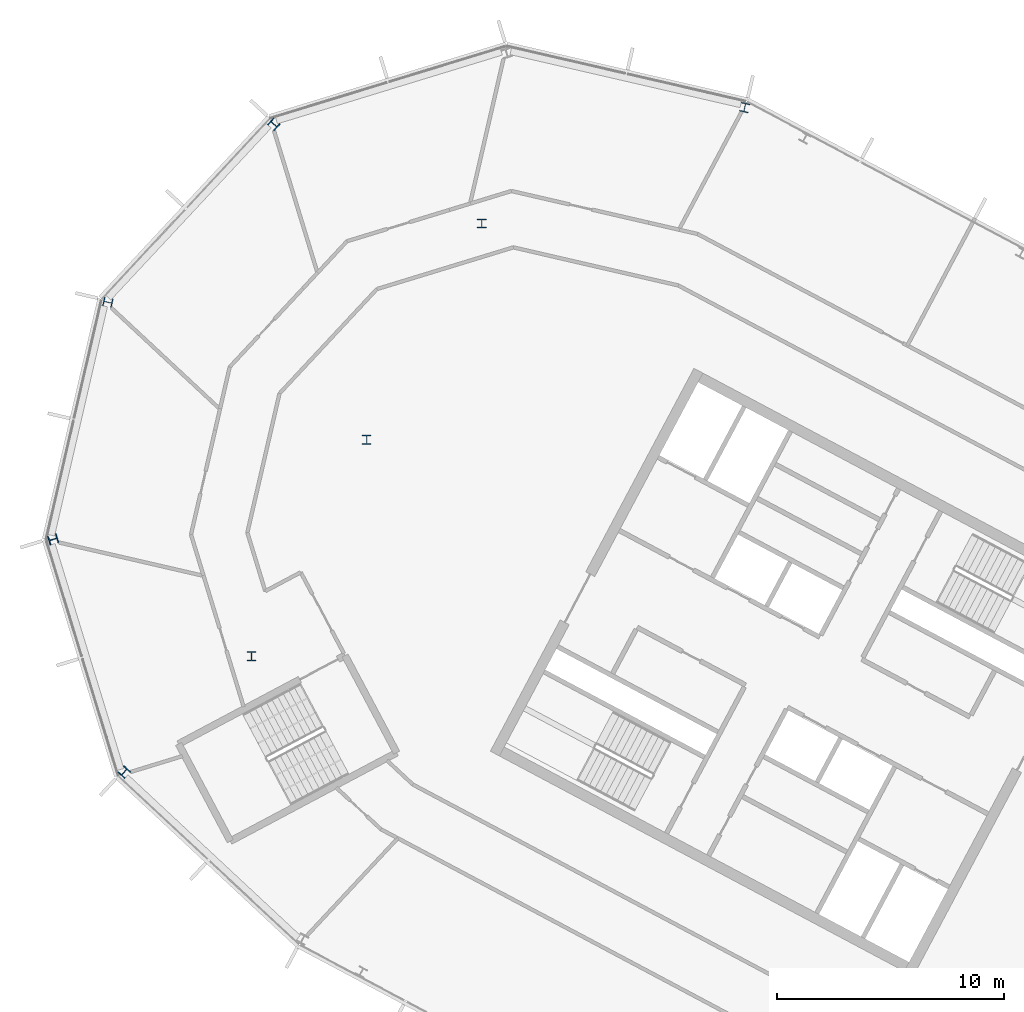
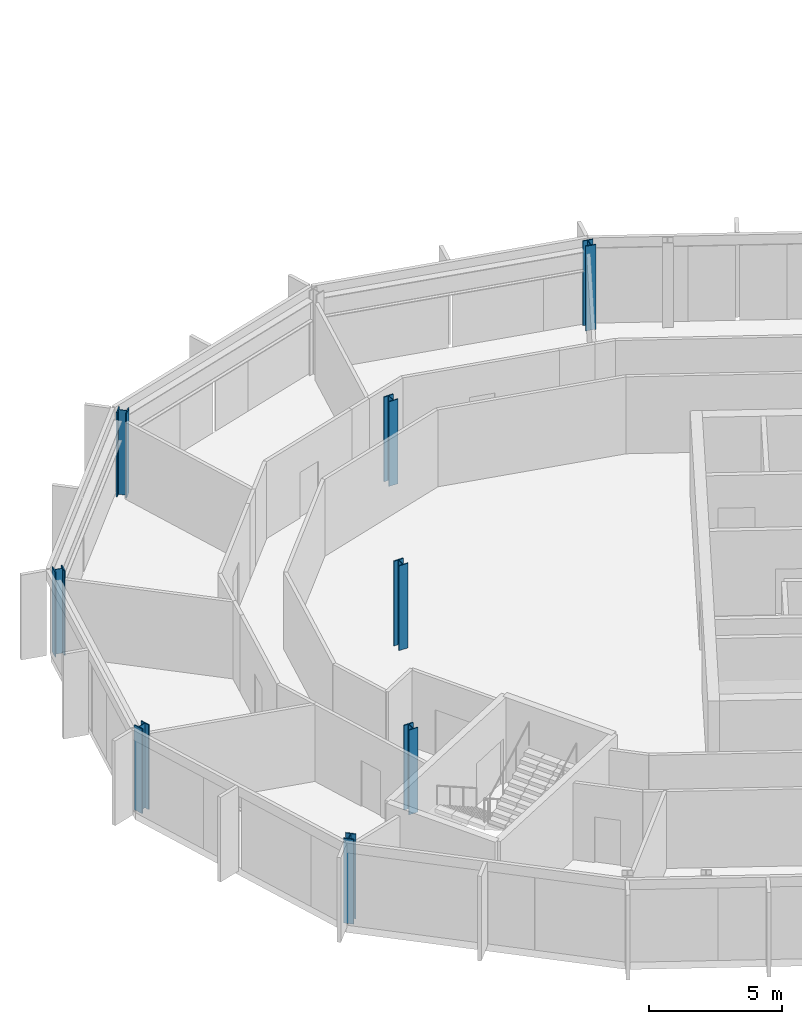
# One storey, part 3 of 25: 8 columns.
"""IFC4 building model written with IfcOpenShell, lengths in metres."""

from ifc_helpers import new_model, si_unit, direction, frame, origin, origin_2d, place, context, subcontext, project, spatial, i_section, extrude, material, material_profile, profile_set, type_object, element, save


model = new_model("IFC4")

# Units and contexts
model_context = context("Model", 3, precision=1e-05, world=origin(), true_north=direction((0.0, 1.0)))
body_context = subcontext(model_context, "Body", "Model", "MODEL_VIEW")
ifc_project = project(units=[si_unit("LENGTHUNIT", "METRE"), si_unit("AREAUNIT", "SQUARE_METRE"), si_unit("VOLUMEUNIT", "CUBIC_METRE"), si_unit("PLANEANGLEUNIT", "RADIAN"), si_unit("MASSUNIT", "GRAM", prefix="KILO")], contexts=[model_context])

# Site, building, storey
site_placement = place(None, origin())
site = spatial("IfcSite", under=ifc_project, at=site_placement, CompositionType="ELEMENT")
building_placement = place(site_placement, origin())
building = spatial("IfcBuilding", under=site, at=building_placement, Name="Cormorant Relay Tower", CompositionType="ELEMENT")
storey_placement = place(building_placement, frame((0.0, 0.0, 289.199951171875)))
storey = spatial("IfcBuildingStorey", under=building, at=storey_placement, Name="L65", CompositionType="ELEMENT", Elevation=289.199951171875)

# Columns
ifc_material = material(Name="Steel ASTM A992 (Fy 345 MPa)", Category="steel")
ifc_material_profile = material_profile(ifc_material, i_section(OverallWidth=0.40380859375, OverallDepth=0.406494140625, WebThickness=0.027099609375, FlangeThickness=0.043701171875, FilletRadius=0.01513671875, at=origin_2d()), Name="W360x347")
ifc_profile_set = profile_set([ifc_material_profile], Name="Steel ASTM A992 (Fy 345 MPa)")
column_type = type_object("IfcColumnType", Name="Column W360x347", PredefinedType="COLUMN", material=ifc_profile_set)
for number, where, z_axis, x_axis, name in (
    (1, (-57.2958984375, 10.152099609375, 0.0), (0.0, 0.0, 1.0), (0.731353701619, -0.681998360062, 0.0), "Column L65-022"),
    (2, (-51.68994140625, 15.251953125, 0.0), (0.0, 0.0, 1.0), (1.0, 0.0, 0.0), "Column L65-026"),
    (3, (-60.429931640625, 20.403076171875, 0.0), (0.0, 0.0, 1.0), (0.292371704723, -0.956304755963, 0.0), "Column L65-028"),
    (4, (-46.6201171875, 24.7880859375, 0.0), (0.0, 0.0, 1.0), (1.0, 0.0, 0.0), "Column L65-030"),
    (5, (-58.01806640625, 30.84912109375, 0.0), (0.0, 0.0, 1.0), (-0.224951054344, -0.974370064785, 0.0), "Column L65-034"),
    (6, (-41.549072265625, 34.323974609375, 0.0), (0.0, 0.0, 1.0), (1.0, 0.0, 0.0), "Column L65-037"),
    (7, (-50.70703125, 38.68896484375, 0.0), (0.0, 0.0, 1.0), (-0.681998360062, -0.731353701619, 0.0), "Column L65-041"),
    (8, (-29.965087890625, 39.425048828125, 0.0), (0.0, 0.0, 1.0), (-0.974370064785, 0.224951054344, 0.0), "Column L65-042"),
):
    element("IfcColumn", number, at=place(storey_placement, frame(where, z_axis=z_axis, x_axis=x_axis)), inside=storey, type_object=column_type, Name=name, PredefinedType="COLUMN", context=body_context, shape_type="SweptSolid", body=[
        extrude(i_section(OverallWidth=0.40380859375, OverallDepth=0.406494140625, WebThickness=0.027099609375, FlangeThickness=0.043701171875, FilletRadius=0.01513671875, at=origin_2d()), origin(), (0.0, 0.0, 1.0), 3.900146484375),
    ])

save(model, "model.ifc")
